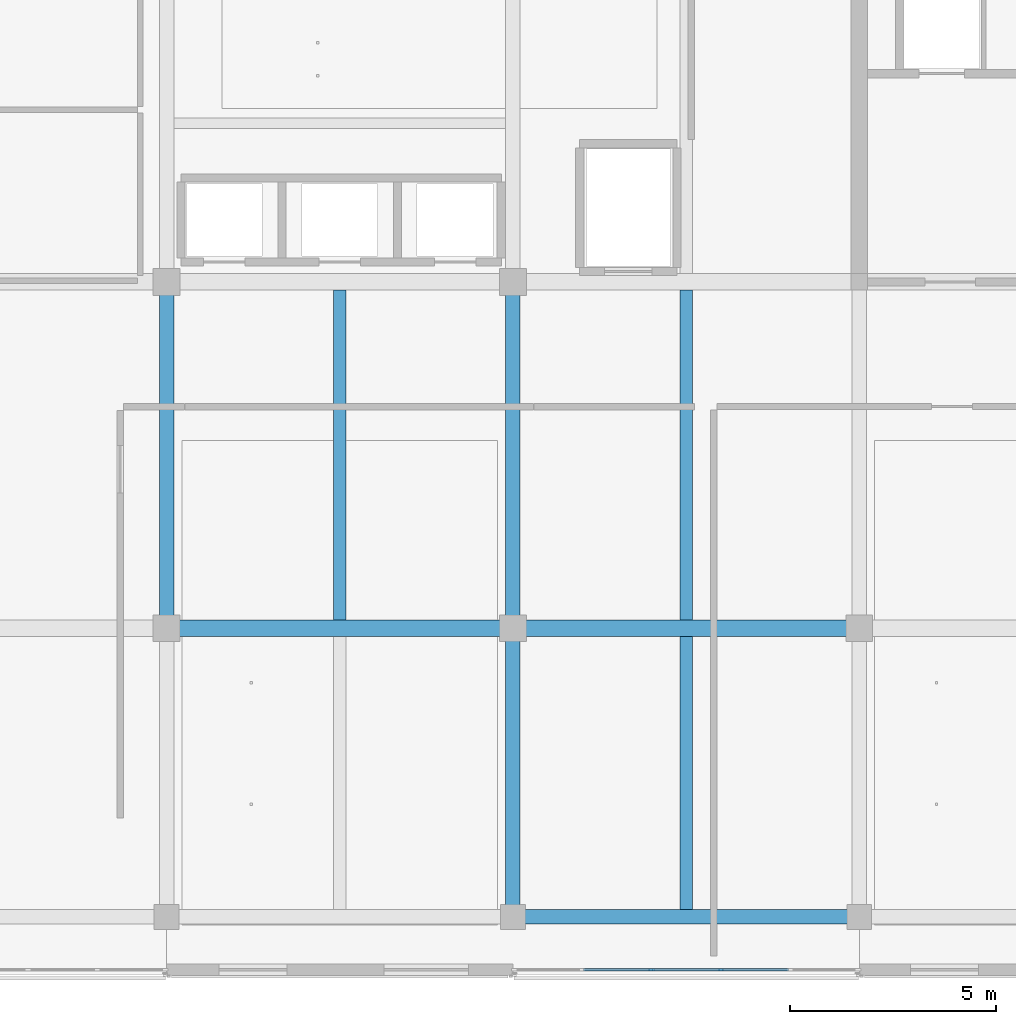
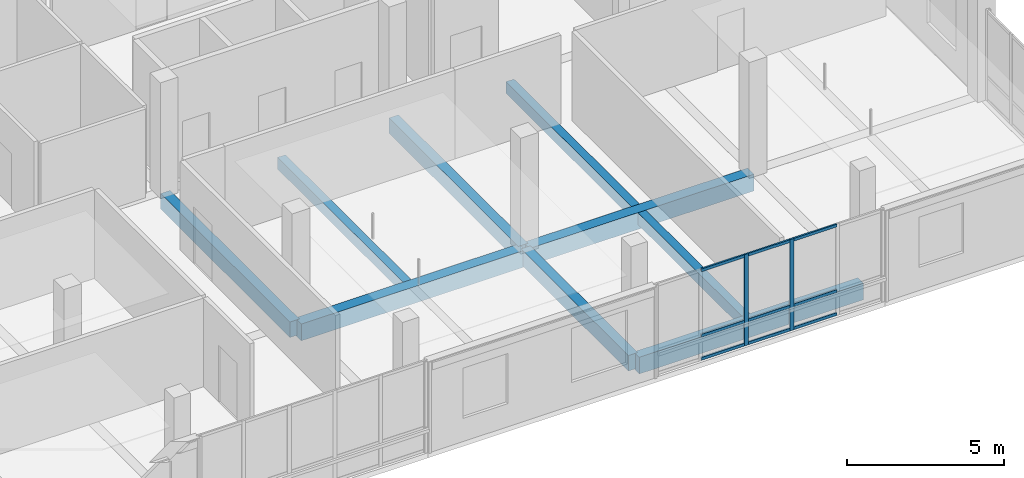
# One storey, part 3 of 30: 11 members, 9 beams, 1 element without a shape of its own.
"""IFC4 building model written with IfcOpenShell, lengths in metres."""

from ifc_helpers import new_model, si_unit, direction, frame, origin, origin_2d, place, context, subcontext, project, spatial, rectangle, extrude, material, layer, layer_set, material_profile, profile_set, type_object, element, aggregate, save


model = new_model("IFC4")

# Units and contexts
model_context = context("Model", 3, precision=1e-05, world=origin(), true_north=direction((0.0, 1.0)))
body_context = subcontext(model_context, "Body", "Model", "MODEL_VIEW")
ifc_project = project(units=[si_unit("LENGTHUNIT", "METRE"), si_unit("AREAUNIT", "SQUARE_METRE"), si_unit("VOLUMEUNIT", "CUBIC_METRE"), si_unit("PLANEANGLEUNIT", "RADIAN"), si_unit("MASSUNIT", "GRAM", prefix="KILO")], contexts=[model_context])

# Site, building, storey
site_placement = place(None, origin())
site = spatial("IfcSite", under=ifc_project, at=site_placement, CompositionType="ELEMENT")
building_placement = place(site_placement, origin())
building = spatial("IfcBuilding", under=site, at=building_placement, Name="Telukmera Botanical Conservatory", CompositionType="ELEMENT")
storey_placement = place(building_placement, frame((0.0, 0.0, 60.0)))
storey = spatial("IfcBuildingStorey", under=building, at=storey_placement, Name="L13", CompositionType="ELEMENT", Elevation=60.0)

# Beams
ifc_material_1 = material(Name="Concrete C40/50", Category="concrete")
ifc_material_profile_1 = material_profile(ifc_material_1, rectangle(XDim=0.300048828125, YDim=0.449951171875, at=origin_2d()), Name="RC 300x450")
ifc_profile_set_1 = profile_set([ifc_material_profile_1], Name="Concrete C40/50")
beam_type_1 = type_object("IfcBeamType", Name="Beam_B25", PredefinedType="JOIST", material=ifc_profile_set_1)
beam_1_placement = place(storey_placement, frame((79.800048828125, 17.800048828125, -0.22509765625), z_axis=(0.0, 1.0, 0.0), x_axis=(-1.0, 0.0, 0.0)))
element("IfcBeam", 1, at=beam_1_placement, inside=storey, type_object=beam_type_1, Name="Tower Secondary Floor Joist L13", PredefinedType="JOIST", context=body_context, shape_type="SweptSolid", body=[
    extrude(rectangle(XDim=0.300048828125, YDim=0.449951171875, at=origin_2d()), origin(), (0.0, 0.0, 1.0), 8.0),
])
beam_2_placement = place(storey_placement, frame((88.199951171875, 10.77490234375, -0.22509765625), z_axis=(0.0, 1.0, 0.0), x_axis=(-1.0, 0.0, 0.0)))
element("IfcBeam", 2, at=beam_2_placement, inside=storey, type_object=beam_type_1, Name="Tower Secondary Floor Joist L13", PredefinedType="JOIST", context=body_context, shape_type="SweptSolid", body=[
    extrude(rectangle(XDim=0.300048828125, YDim=0.449951171875, at=origin_2d()), origin(), (0.0, 0.0, 1.0), 6.625),
])
beam_3_placement = place(storey_placement, frame((88.199951171875, 17.800048828125, -0.22509765625), z_axis=(0.0, 1.0, 0.0), x_axis=(-1.0, 0.0, 0.0)))
element("IfcBeam", 3, at=beam_3_placement, inside=storey, type_object=beam_type_1, Name="Tower Secondary Floor Joist L13", PredefinedType="JOIST", context=body_context, shape_type="SweptSolid", body=[
    extrude(rectangle(XDim=0.300048828125, YDim=0.449951171875, at=origin_2d()), origin(), (0.0, 0.0, 1.0), 8.0),
])
ifc_material_profile_2 = material_profile(ifc_material_1, rectangle(XDim=0.39990234375, YDim=0.64990234375, at=origin_2d()), Name="RC 400x650")
ifc_profile_set_2 = profile_set([ifc_material_profile_2], Name="Concrete C40/50")
beam_type_2 = type_object("IfcBeamType", Name="Beam_B8", PredefinedType="BEAM", material=ifc_profile_set_2)
for number, where, z_axis, x_axis, name in (
    (4, (75.679931640625, 17.60009765625, -0.324951171875), (1.0, 0.0, 0.0), (0.0, 1.0, 0.0), "Tower Grid Beam L13"),
    (5, (84.080078125, 17.60009765625, -0.324951171875), (1.0, 0.0, 0.0), (0.0, 1.0, 0.0), "Tower Grid Beam L13"),
):
    element("IfcBeam", number, at=place(storey_placement, frame(where, z_axis=z_axis, x_axis=x_axis)), inside=storey, type_object=beam_type_2, Name=name, PredefinedType="BEAM", context=body_context, shape_type="SweptSolid", body=[
        extrude(rectangle(XDim=0.39990234375, YDim=0.64990234375, at=origin_2d()), origin(), (0.0, 0.0, 1.0), 8.239990234375),
    ])
ifc_material_profile_3 = material_profile(ifc_material_1, rectangle(XDim=0.35009765625, YDim=0.60009765625, at=origin_2d()), Name="RC 350x600")
ifc_profile_set_3 = profile_set([ifc_material_profile_3], Name="Concrete C40/50")
beam_type_3 = type_object("IfcBeamType", Name="Beam_B9", PredefinedType="BEAM", material=ifc_profile_set_3)
beam_4_placement = place(storey_placement, frame((75.60009765625, 17.679931640625, -0.300048828125), z_axis=(0.0, 1.0, 0.0), x_axis=(-1.0, 0.0, 0.0)))
element("IfcBeam", 6, at=beam_4_placement, inside=storey, type_object=beam_type_3, Name="Tower Transverse Beam L13", PredefinedType="BEAM", context=body_context, shape_type="SweptSolid", body=[
    extrude(rectangle(XDim=0.35009765625, YDim=0.60009765625, at=origin_2d()), origin(), (0.0, 0.0, 1.0), 8.239990234375),
])
beam_5_placement = place(storey_placement, frame((84.0, 10.679931640625, -0.300048828125), z_axis=(0.0, 1.0, 0.0), x_axis=(-1.0, 0.0, 0.0)))
element("IfcBeam", 7, at=beam_5_placement, inside=storey, type_object=beam_type_3, Name="Tower Transverse Beam L13", PredefinedType="BEAM", context=body_context, shape_type="SweptSolid", body=[
    extrude(rectangle(XDim=0.35009765625, YDim=0.60009765625, at=origin_2d()), origin(), (0.0, 0.0, 1.0), 6.840087890625),
])
beam_6_placement = place(storey_placement, frame((84.0, 17.679931640625, -0.300048828125), z_axis=(0.0, 1.0, 0.0), x_axis=(-1.0, 0.0, 0.0)))
element("IfcBeam", 8, at=beam_6_placement, inside=storey, type_object=beam_type_3, Name="Tower Transverse Beam L13", PredefinedType="BEAM", context=body_context, shape_type="SweptSolid", body=[
    extrude(rectangle(XDim=0.35009765625, YDim=0.60009765625, at=origin_2d()), origin(), (0.0, 0.0, 1.0), 8.239990234375),
])
ifc_material_2 = material(Name="Precast concrete C40/50", Category="concrete")
ifc_material_profile_4 = material_profile(ifc_material_2, rectangle(XDim=0.35009765625, YDim=0.64990234375, at=origin_2d()), Name="PC 350x650")
ifc_profile_set_4 = profile_set([ifc_material_profile_4], Name="Precast concrete C40/50")
beam_type_4 = type_object("IfcBeamType", Name="Beam_SP3", PredefinedType="SPANDREL", material=ifc_profile_set_4)
beam_7_placement = place(storey_placement, frame((84.080078125, 10.60009765625, -0.324951171875), z_axis=(1.0, 0.0, 0.0), x_axis=(0.0, 1.0, 0.0)))
element("IfcBeam", 9, at=beam_7_placement, inside=storey, type_object=beam_type_4, Name="Tower Grid Beam L13", PredefinedType="SPANDREL", context=body_context, shape_type="SweptSolid", body=[
    extrude(rectangle(XDim=0.35009765625, YDim=0.64990234375, at=origin_2d()), origin(), (0.0, 0.0, 1.0), 8.239990234375),
])

# Curtain wall, members
ifc_material_3 = material(Name="Anodised aluminium 6063-T6", Category="aluminium")
ifc_layer = layer(ifc_material_3, 0.179931640625)
ifc_layer_set = layer_set([ifc_layer], Name="Anodised aluminium 6063-T6")
curtain_wall_type = type_object("IfcCurtainWallType", Name="Tower Research Laboratory Unitised Curtain Wall", PredefinedType="USERDEFINED", material=ifc_layer_set)
curtain_wall_placement = place(storey_placement, origin())
curtain_wall = element("IfcCurtainWall", 10, at=curtain_wall_placement, inside=storey, type_object=curtain_wall_type, Name="Unitised Curtain Wall CW15 V4:L13:S4", ObjectType="UNITISED CURTAIN WALL", PredefinedType="USERDEFINED")
ifc_material_profile_5 = material_profile(ifc_material_3, rectangle(XDim=0.06005859375, YDim=0.139892578125, at=origin_2d()), Name="ALU MULL 60x140")
ifc_profile_set_5 = profile_set([ifc_material_profile_5], Name="Anodised aluminium 6063-T6")
member_type_1 = type_object("IfcMemberType", Name="Curtain Wall Extruded Mullion 60x140", PredefinedType="MULLION", material=ifc_profile_set_5)
member_1_placement = place(storey_placement, frame((87.3603515625, 9.320068359375, 0.0), z_axis=(0.0, 0.0, 1.0), x_axis=(0.0, 1.0, 0.0)))
member_1 = element("IfcMember", 11, at=member_1_placement, type_object=member_type_1, Name="CW15 mullion 3", PredefinedType="MULLION", context=body_context, shape_type="SweptSolid", body=[
    extrude(rectangle(XDim=0.06005859375, YDim=0.139892578125, at=origin_2d()), origin(), (0.0, 0.0, 1.0), 3.550048828125),
])
member_2_placement = place(storey_placement, frame((89.03955078125, 9.320068359375, 0.0), z_axis=(0.0, 0.0, 1.0), x_axis=(0.0, 1.0, 0.0)))
member_2 = element("IfcMember", 12, at=member_2_placement, type_object=member_type_1, Name="CW15 mullion 4", PredefinedType="MULLION", context=body_context, shape_type="SweptSolid", body=[
    extrude(rectangle(XDim=0.06005859375, YDim=0.139892578125, at=origin_2d()), origin(), (0.0, 0.0, 1.0), 3.550048828125),
])
ifc_material_profile_6 = material_profile(ifc_material_3, rectangle(XDim=0.06005859375, YDim=0.110107421875, at=origin_2d()), Name="ALU TRAN 60x110")
ifc_profile_set_6 = profile_set([ifc_material_profile_6], Name="Anodised aluminium 6063-T6")
member_type_2 = type_object("IfcMemberType", Name="Curtain Wall Extruded Transom 60x110", PredefinedType="USERDEFINED", material=ifc_profile_set_6)
member_3_placement = place(storey_placement, frame((85.711181640625, 9.320068359375, 0.054931640625), z_axis=(1.0, 0.0, 0.0), x_axis=(0.0, 1.0, 0.0)))
member_3 = element("IfcMember", 13, at=member_3_placement, type_object=member_type_2, Name="CW15 transom 2.1", ObjectType="TRANSOM", PredefinedType="USERDEFINED", context=body_context, shape_type="SweptSolid", body=[
    extrude(rectangle(XDim=0.06005859375, YDim=0.110107421875, at=origin_2d()), origin(), (0.0, 0.0, 1.0), 1.619140625),
])
member_4_placement = place(storey_placement, frame((85.711181640625, 9.320068359375, 0.949951171875), z_axis=(1.0, 0.0, 0.0), x_axis=(0.0, 1.0, 0.0)))
member_4 = element("IfcMember", 14, at=member_4_placement, type_object=member_type_2, Name="CW15 transom 2.2", ObjectType="TRANSOM", PredefinedType="USERDEFINED", context=body_context, shape_type="SweptSolid", body=[
    extrude(rectangle(XDim=0.06005859375, YDim=0.110107421875, at=origin_2d()), origin(), (0.0, 0.0, 1.0), 1.619140625),
])
member_5_placement = place(storey_placement, frame((85.711181640625, 9.320068359375, 3.4951171875), z_axis=(1.0, 0.0, 0.0), x_axis=(0.0, 1.0, 0.0)))
member_5 = element("IfcMember", 15, at=member_5_placement, type_object=member_type_2, Name="CW15 transom 2.3", ObjectType="TRANSOM", PredefinedType="USERDEFINED", context=body_context, shape_type="SweptSolid", body=[
    extrude(rectangle(XDim=0.06005859375, YDim=0.110107421875, at=origin_2d()), origin(), (0.0, 0.0, 1.0), 1.619140625),
])
member_6_placement = place(storey_placement, frame((87.390380859375, 9.320068359375, 0.054931640625), z_axis=(1.0, 0.0, 0.0), x_axis=(0.0, 1.0, 0.0)))
member_6 = element("IfcMember", 16, at=member_6_placement, type_object=member_type_2, Name="CW15 transom 3.1", ObjectType="TRANSOM", PredefinedType="USERDEFINED", context=body_context, shape_type="SweptSolid", body=[
    extrude(rectangle(XDim=0.06005859375, YDim=0.110107421875, at=origin_2d()), origin(), (0.0, 0.0, 1.0), 1.619140625),
])
member_7_placement = place(storey_placement, frame((87.390380859375, 9.320068359375, 0.949951171875), z_axis=(1.0, 0.0, 0.0), x_axis=(0.0, 1.0, 0.0)))
member_7 = element("IfcMember", 17, at=member_7_placement, type_object=member_type_2, Name="CW15 transom 3.2", ObjectType="TRANSOM", PredefinedType="USERDEFINED", context=body_context, shape_type="SweptSolid", body=[
    extrude(rectangle(XDim=0.06005859375, YDim=0.110107421875, at=origin_2d()), origin(), (0.0, 0.0, 1.0), 1.619140625),
])
member_8_placement = place(storey_placement, frame((87.390380859375, 9.320068359375, 3.4951171875), z_axis=(1.0, 0.0, 0.0), x_axis=(0.0, 1.0, 0.0)))
member_8 = element("IfcMember", 18, at=member_8_placement, type_object=member_type_2, Name="CW15 transom 3.3", ObjectType="TRANSOM", PredefinedType="USERDEFINED", context=body_context, shape_type="SweptSolid", body=[
    extrude(rectangle(XDim=0.06005859375, YDim=0.110107421875, at=origin_2d()), origin(), (0.0, 0.0, 1.0), 1.619140625),
])
member_9_placement = place(storey_placement, frame((89.069580078125, 9.320068359375, 0.054931640625), z_axis=(1.0, 0.0, 0.0), x_axis=(0.0, 1.0, 0.0)))
member_9 = element("IfcMember", 19, at=member_9_placement, type_object=member_type_2, Name="CW15 transom 4.1", ObjectType="TRANSOM", PredefinedType="USERDEFINED", context=body_context, shape_type="SweptSolid", body=[
    extrude(rectangle(XDim=0.06005859375, YDim=0.110107421875, at=origin_2d()), origin(), (0.0, 0.0, 1.0), 1.619140625),
])
member_10_placement = place(storey_placement, frame((89.069580078125, 9.320068359375, 0.949951171875), z_axis=(1.0, 0.0, 0.0), x_axis=(0.0, 1.0, 0.0)))
member_10 = element("IfcMember", 20, at=member_10_placement, type_object=member_type_2, Name="CW15 transom 4.2", ObjectType="TRANSOM", PredefinedType="USERDEFINED", context=body_context, shape_type="SweptSolid", body=[
    extrude(rectangle(XDim=0.06005859375, YDim=0.110107421875, at=origin_2d()), origin(), (0.0, 0.0, 1.0), 1.619140625),
])
member_11_placement = place(storey_placement, frame((89.069580078125, 9.320068359375, 3.4951171875), z_axis=(1.0, 0.0, 0.0), x_axis=(0.0, 1.0, 0.0)))
member_11 = element("IfcMember", 21, at=member_11_placement, type_object=member_type_2, Name="CW15 transom 4.3", ObjectType="TRANSOM", PredefinedType="USERDEFINED", context=body_context, shape_type="SweptSolid", body=[
    extrude(rectangle(XDim=0.06005859375, YDim=0.110107421875, at=origin_2d()), origin(), (0.0, 0.0, 1.0), 1.619140625),
])
aggregate(curtain_wall, [member_1, member_2, member_3, member_4, member_5, member_6, member_7, member_8, member_9, member_10, member_11])

save(model, "model.ifc")
